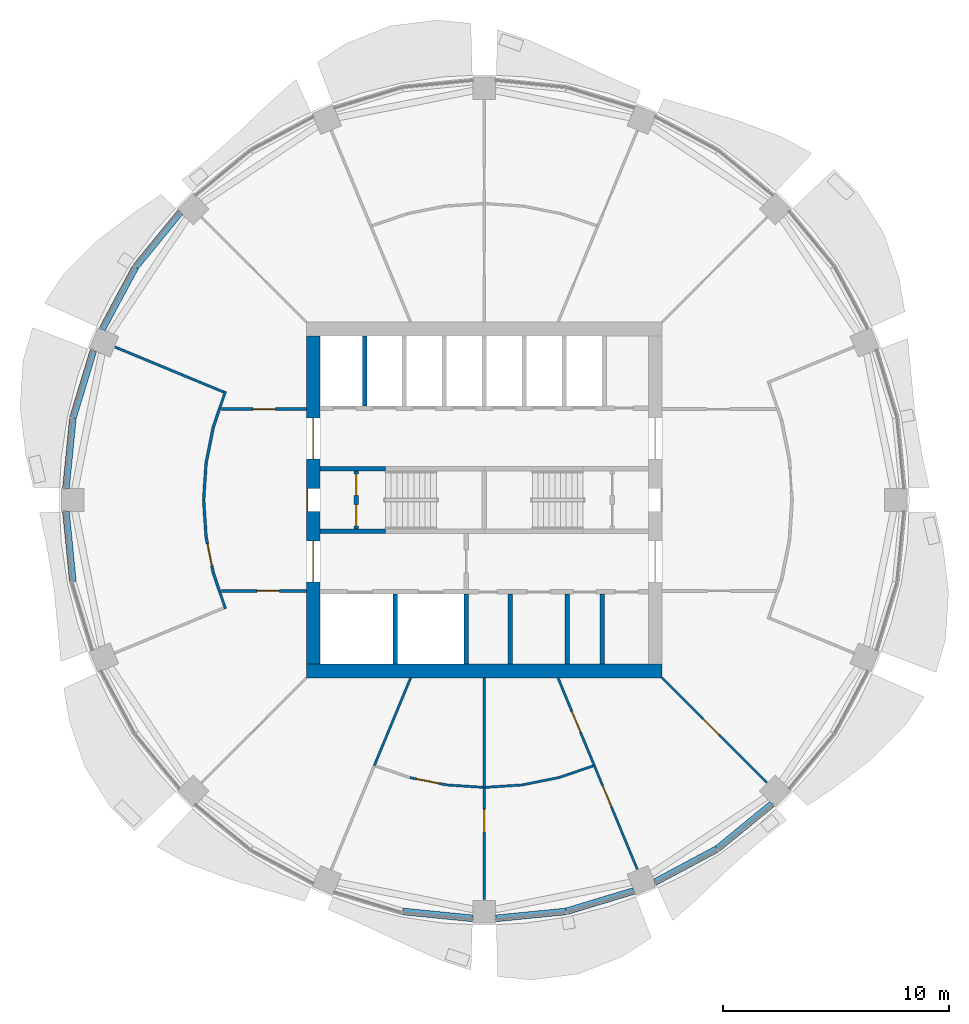
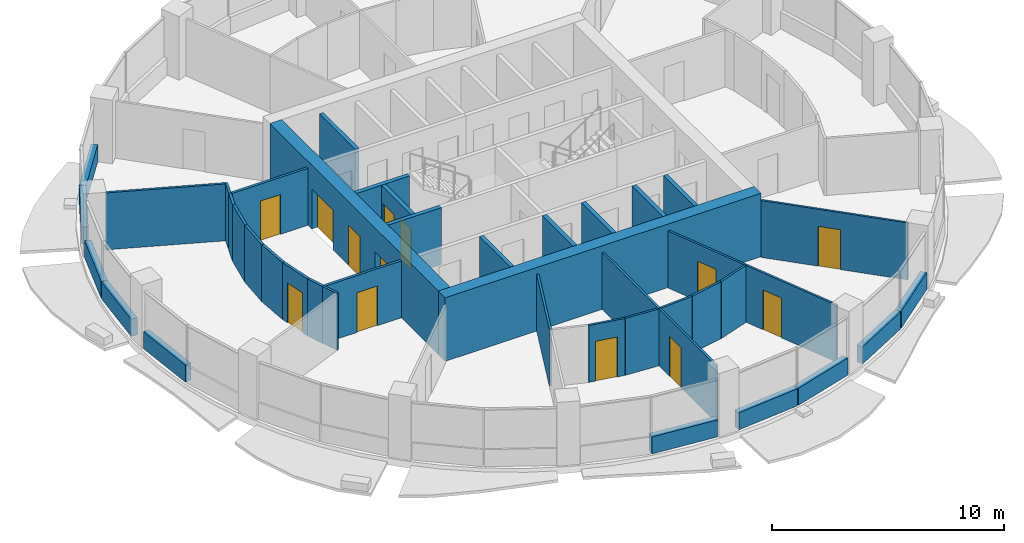
# One storey, part 8 of 15: 43 walls, 13 doors, 13 openings.
"""IFC4 building model written with IfcOpenShell, lengths in metres."""

from ifc_helpers import new_model, si_unit, direction, frame, frame_2d, origin, place, context, subcontext, project, spatial, rectangle, extrude, material, layer, layer_set, type_object, element, fill, save


model = new_model("IFC4")

# Units and contexts
model_context = context("Model", 3, precision=1e-05, world=origin(), true_north=direction((0.0, 1.0)))
body_context = subcontext(model_context, "Body", "Model", "MODEL_VIEW")
ifc_project = project(units=[si_unit("LENGTHUNIT", "METRE"), si_unit("AREAUNIT", "SQUARE_METRE"), si_unit("VOLUMEUNIT", "CUBIC_METRE"), si_unit("PLANEANGLEUNIT", "RADIAN"), si_unit("MASSUNIT", "GRAM", prefix="KILO")], contexts=[model_context])

# Site, building, storey
site_placement = place(None, origin())
site = spatial("IfcSite", under=ifc_project, at=site_placement, CompositionType="ELEMENT")
building_placement = place(site_placement, origin())
building = spatial("IfcBuilding", under=site, at=building_placement, Name="Polderwave Tower", CompositionType="ELEMENT")
storey_placement = place(building_placement, frame((0.0, 0.0, 151.10009765625)))
storey = spatial("IfcBuildingStorey", under=building, at=storey_placement, Name="L40", CompositionType="ELEMENT", Elevation=151.10009765625)

# Wall
ifc_material_1 = material(Name="Concrete C60/75", Category="concrete")
ifc_layer_1 = layer(ifc_material_1, 0.60009765625)
ifc_layer_set_1 = layer_set([ifc_layer_1], Name="CORE WALL 600 C60/75")
wall_type_1 = type_object("IfcWallType", Name="CORE WALL 600 C60/75", PredefinedType="SHEAR", material=ifc_layer_set_1)
wall_1_placement = place(storey_placement, frame((-7.8740234375, -7.573974609375, 0.0), z_axis=(0.0, 0.0, 1.0), x_axis=(1.0, 0.0, 0.0)))
element("IfcWall", 1, at=wall_1_placement, inside=storey, type_object=wall_type_1, Name="ST-CORE-L40-S", PredefinedType="SHEAR", context=body_context, shape_type="SweptSolid", body=[
    extrude(rectangle(XDim=15.748046875, YDim=0.60009765625, at=frame_2d((7.8740234375, 0.0))), origin(), (0.0, 0.0, 1.0), 3.349853515625),
])

# Wall, openings, doors
wall_2_placement = place(storey_placement, frame((-7.573974609375, -7.27392578125, 0.0), z_axis=(0.0, 0.0, 1.0), x_axis=(0.0, 1.0, 0.0)))
wall_2 = element("IfcWall", 2, at=wall_2_placement, inside=storey, type_object=wall_type_1, Name="ST-CORE-L40-W", PredefinedType="SHEAR", context=body_context, shape_type="SweptSolid", body=[
    extrude(rectangle(XDim=14.5478515625, YDim=0.60009765625, at=frame_2d((7.27392578125, 0.0))), origin(), (0.0, 0.0, 1.0), 3.349853515625),
])
opening_1_placement = place(wall_2_placement, frame((6.77392578125, 0.0, 0.0)))
opening_1 = element("IfcOpeningElement", 3, at=opening_1_placement, cuts=wall_2, Name="Opening L40-D20", PredefinedType="OPENING", context=body_context, shape_type="SweptSolid", body=[
    extrude(rectangle(XDim=1.0, YDim=2.10009765625, at=frame_2d((0.5, 1.050048828125))), frame((0.0, 0.31005859375, 0.0), z_axis=(0.0, -1.0, 0.0), x_axis=(1.0, 0.0, 0.0)), (0.0, 0.0, 1.0), 0.6201171875),
])
opening_2_placement = place(wall_2_placement, frame((3.6494140625, 0.0, 0.0)))
opening_2 = element("IfcOpeningElement", 4, at=opening_2_placement, cuts=wall_2, Name="Opening L40-D21", PredefinedType="OPENING", context=body_context, shape_type="SweptSolid", body=[
    extrude(rectangle(XDim=1.800048828125, YDim=2.10009765625, at=frame_2d((0.89990234375, 1.050048828125))), frame((0.0, 0.31005859375, 0.0), z_axis=(0.0, -1.0, 0.0), x_axis=(1.0, 0.0, 0.0)), (0.0, 0.0, 1.0), 0.6201171875),
])
opening_3_placement = place(wall_2_placement, frame((9.098388671875, 0.0, 0.0)))
opening_3 = element("IfcOpeningElement", 5, at=opening_3_placement, cuts=wall_2, Name="Opening L40-D22", PredefinedType="OPENING", context=body_context, shape_type="SweptSolid", body=[
    extrude(rectangle(XDim=1.800048828125, YDim=2.10009765625, at=frame_2d((0.89990234375, 1.050048828125))), frame((0.0, 0.31005859375, 0.0), z_axis=(0.0, -1.0, 0.0), x_axis=(1.0, 0.0, 0.0)), (0.0, 0.0, 1.0), 0.6201171875),
])
ifc_material_2 = material(Name="Steel fire door", Category="steel")
door_type_1 = type_object("IfcDoorType", Name="Lobby entry door pair 1800", OperationType="DOUBLE_DOOR_SINGLE_SWING", PredefinedType="DOOR", material=ifc_material_2)
door_1_placement = place(opening_2_placement, origin())
door_1 = element("IfcDoor", 6, at=door_1_placement, inside=storey, type_object=door_type_1, Name="Fire-fighting lobby entry door", OperationType="DOUBLE_DOOR_SINGLE_SWING", OverallHeight=2.10009765625, OverallWidth=1.800048828125, PredefinedType="DOOR", context=body_context, shape_type="SweptSolid", body=[
    extrude(rectangle(XDim=1.800048828125, YDim=2.10009765625, at=frame_2d((0.89990234375, 1.050048828125))), frame((0.0, 0.02490234375, 0.0), z_axis=(0.0, -1.0, 0.0), x_axis=(1.0, 0.0, 0.0)), (0.0, 0.0, 1.0), 0.050048828125),
])
fill(opening_2, door_1)
door_2_placement = place(opening_3_placement, origin())
door_2 = element("IfcDoor", 7, at=door_2_placement, inside=storey, type_object=door_type_1, Name="North lobby entry door", OperationType="DOUBLE_DOOR_SINGLE_SWING", OverallHeight=2.10009765625, OverallWidth=1.800048828125, PredefinedType="DOOR", context=body_context, shape_type="SweptSolid", body=[
    extrude(rectangle(XDim=1.800048828125, YDim=2.10009765625, at=frame_2d((0.89990234375, 1.050048828125))), frame((0.0, 0.02490234375, 0.0), z_axis=(0.0, -1.0, 0.0), x_axis=(1.0, 0.0, 0.0)), (0.0, 0.0, 1.0), 0.050048828125),
])
fill(opening_3, door_2)
door_type_2 = type_object("IfcDoorType", Name="Stair door 1000", OperationType="NOTDEFINED", PredefinedType="DOOR", material=ifc_material_2)
door_3_placement = place(opening_1_placement, origin())
door_3 = element("IfcDoor", 8, at=door_3_placement, inside=storey, type_object=door_type_2, Name="Stair A entry door", OperationType="SINGLE_SWING_RIGHT", OverallHeight=2.10009765625, OverallWidth=1.0, PredefinedType="DOOR", context=body_context, shape_type="SweptSolid", body=[
    extrude(rectangle(XDim=1.0, YDim=2.10009765625, at=frame_2d((0.5, 1.050048828125))), frame((0.0, 0.2998046875, 0.0), z_axis=(0.0, -1.0, 0.0), x_axis=(1.0, 0.0, 0.0)), (0.0, 0.0, 1.0), 0.050048828125),
])
fill(opening_1, door_3)

# Walls
ifc_material_3 = material(Name="Concrete C50/60 (board-marked)", Category="concrete")
ifc_layer_2 = layer(ifc_material_3, 0.300048828125)
ifc_layer_set_2 = layer_set([ifc_layer_2], Name="Concrete spandrel upstand C50/60")
wall_type_2 = type_object("IfcWallType", Name="Concrete spandrel upstand C50/60", PredefinedType="SOLIDWALL", material=ifc_layer_set_2)
wall_3_placement = place(storey_placement, frame((-13.465576171875, 12.739501953125, 0.0), z_axis=(0.0, 0.0, 1.0), x_axis=(-0.634074896441, -0.773271637721, 0.0)))
element("IfcWall", 9, at=wall_3_placement, inside=storey, type_object=wall_type_2, Name="Spandrel L40 7a", PredefinedType="SOLIDWALL", context=body_context, shape_type="SweptSolid", body=[
    extrude(rectangle(XDim=3.111572265625, YDim=0.300048828125, at=frame_2d((1.5556640625, 0.0))), origin(), (0.0, 0.0, 1.0), 0.89990234375),
])
wall_4_placement = place(storey_placement, frame((-15.455078125, 10.308837890625, 0.0), z_axis=(0.0, 0.0, 1.0), x_axis=(-0.471467771589, -0.881883291798, 0.0)))
element("IfcWall", 10, at=wall_4_placement, inside=storey, type_object=wall_type_2, Name="Spandrel L40 7b", PredefinedType="SOLIDWALL", context=body_context, shape_type="SweptSolid", body=[
    extrude(rectangle(XDim=3.111083984375, YDim=0.300048828125, at=frame_2d((1.5556640625, 0.0))), origin(), (0.0, 0.0, 1.0), 0.89990234375),
])
wall_5_placement = place(storey_placement, frame((-17.3154296875, 6.61669921875, 0.0), z_axis=(0.0, 0.0, 1.0), x_axis=(-0.29026219948, -0.956947154002, 0.0)))
element("IfcWall", 11, at=wall_5_placement, inside=storey, type_object=wall_type_2, Name="Spandrel L40 8a", PredefinedType="SOLIDWALL", context=body_context, shape_type="SweptSolid", body=[
    extrude(rectangle(XDim=3.111328125, YDim=0.300048828125, at=frame_2d((1.5556640625, 0.0))), origin(), (0.0, 0.0, 1.0), 0.89990234375),
])
for number, where, z_axis, x_axis, name in (
    (12, (-18.224609375, 3.610107421875, 0.0), (0.0, 0.0, 1.0), (-0.098011857239, -0.995185246997, 0.0), "Spandrel L40 8b"),
    (13, (-18.529541015625, -0.513916015625, 0.0), (0.0, 0.0, 1.0), (0.098011857239, -0.995185246997, 0.0), "Spandrel L40 9a"),
    (14, (-3.610107421875, -18.224609375, 0.0), (0.0, 0.0, 1.0), (0.995185246997, -0.098011857239, 0.0), "Spandrel L40 12b"),
    (15, (0.513916015625, -18.529541015625, 0.0), (0.0, 0.0, 1.0), (0.995185246997, 0.098011857239, 0.0), "Spandrel L40 13a"),
):
    element("IfcWall", number, at=place(storey_placement, frame(where, z_axis=z_axis, x_axis=x_axis)), inside=storey, type_object=wall_type_2, Name=name, PredefinedType="SOLIDWALL", context=body_context, shape_type="SweptSolid", body=[
        extrude(rectangle(XDim=3.111083984375, YDim=0.300048828125, at=frame_2d((1.5556640625, 0.0))), origin(), (0.0, 0.0, 1.0), 0.89990234375),
    ])
wall_6_placement = place(storey_placement, frame((3.639404296875, -18.218505859375, 0.0), z_axis=(0.0, 0.0, 1.0), x_axis=(0.956947154002, 0.29026219948, 0.0)))
element("IfcWall", 16, at=wall_6_placement, inside=storey, type_object=wall_type_2, Name="Spandrel L40 13b", PredefinedType="SOLIDWALL", context=body_context, shape_type="SweptSolid", body=[
    extrude(rectangle(XDim=3.111328125, YDim=0.300048828125, at=frame_2d((1.5556640625, 0.0))), origin(), (0.0, 0.0, 1.0), 0.89990234375),
])
wall_7_placement = place(storey_placement, frame((7.565185546875, -16.921875, 0.0), z_axis=(0.0, 0.0, 1.0), x_axis=(0.881883291798, 0.471467771589, 0.0)))
element("IfcWall", 17, at=wall_7_placement, inside=storey, type_object=wall_type_2, Name="Spandrel L40 14a", PredefinedType="SOLIDWALL", context=body_context, shape_type="SweptSolid", body=[
    extrude(rectangle(XDim=3.111083984375, YDim=0.300048828125, at=frame_2d((1.5556640625, 0.0))), origin(), (0.0, 0.0, 1.0), 0.89990234375),
])
wall_8_placement = place(storey_placement, frame((10.33349609375, -15.4384765625, 0.0), z_axis=(0.0, 0.0, 1.0), x_axis=(0.773271637721, 0.634074896441, 0.0)))
element("IfcWall", 18, at=wall_8_placement, inside=storey, type_object=wall_type_2, Name="Spandrel L40 14b", PredefinedType="SOLIDWALL", context=body_context, shape_type="SweptSolid", body=[
    extrude(rectangle(XDim=3.111572265625, YDim=0.300048828125, at=frame_2d((1.5556640625, 0.0))), origin(), (0.0, 0.0, 1.0), 0.89990234375),
])
ifc_material_4 = material(Name="Gypsum board partition")
ifc_layer_3 = layer(ifc_material_4, 0.199951171875)
ifc_layer_set_3 = layer_set([ifc_layer_3], Name="Core room partition 200")
wall_type_3 = type_object("IfcWallType", Name="Core room partition 200", PredefinedType="PARTITIONING", material=ifc_layer_set_3)
for number, where, z_axis, x_axis, name in (
    (19, (1.146484375, -7.27392578125, 0.0), (0.0, 0.0, 1.0), (0.0, 1.0, 0.0), "L40 room partition S1"),
    (20, (3.675048828125, -7.27392578125, 0.0), (0.0, 0.0, 1.0), (0.0, 1.0, 0.0), "L40 room partition S2"),
    (21, (5.2333984375, -7.27392578125, 0.0), (0.0, 0.0, 1.0), (0.0, 1.0, 0.0), "L40 room partition S3"),
):
    element("IfcWall", number, at=place(storey_placement, frame(where, z_axis=z_axis, x_axis=x_axis)), inside=storey, type_object=wall_type_3, Name=name, PredefinedType="PARTITIONING", context=body_context, shape_type="SweptSolid", body=[
        extrude(rectangle(XDim=3.099853515625, YDim=0.199951171875, at=frame_2d((1.5498046875, 0.0))), origin(), (0.0, 0.0, 1.0), 3.0),
    ])

# Wall, openings, doors
wall_9_placement = place(storey_placement, frame((-5.674072265625, -1.27490234375, 0.0), z_axis=(0.0, 0.0, 1.0), x_axis=(0.0, 1.0, 0.0)))
wall_9 = element("IfcWall", 22, at=wall_9_placement, inside=storey, type_object=wall_type_3, Name="L40 smoke lobby wall A", PredefinedType="PARTITIONING", context=body_context, shape_type="SweptSolid", body=[
    extrude(rectangle(XDim=2.5498046875, YDim=0.199951171875, at=frame_2d((1.27490234375, 0.0))), origin(), (0.0, 0.0, 1.0), 3.0),
])
opening_4_placement = place(wall_9_placement, frame((0.125, 0.0, 0.0)))
opening_4 = element("IfcOpeningElement", 23, at=opening_4_placement, cuts=wall_9, Name="Opening L40-D10", PredefinedType="OPENING", context=body_context, shape_type="SweptSolid", body=[
    extrude(rectangle(XDim=0.949951171875, YDim=2.10009765625, at=frame_2d((0.47509765625, 1.050048828125))), frame((0.0, 0.10986328125, 0.0), z_axis=(0.0, -1.0, 0.0), x_axis=(1.0, 0.0, 0.0)), (0.0, 0.0, 1.0), 0.219970703125),
])
opening_5_placement = place(wall_9_placement, frame((1.47509765625, 0.0, 0.0)))
opening_5 = element("IfcOpeningElement", 24, at=opening_5_placement, cuts=wall_9, Name="Opening L40-D11", PredefinedType="OPENING", context=body_context, shape_type="SweptSolid", body=[
    extrude(rectangle(XDim=0.949951171875, YDim=2.10009765625, at=frame_2d((0.47509765625, 1.050048828125))), frame((0.0, 0.10986328125, 0.0), z_axis=(0.0, -1.0, 0.0), x_axis=(1.0, 0.0, 0.0)), (0.0, 0.0, 1.0), 0.219970703125),
])
door_type_3 = type_object("IfcDoorType", Name="Smoke lobby door 950", OperationType="NOTDEFINED", PredefinedType="DOOR", material=ifc_material_2)
door_4_placement = place(opening_4_placement, origin())
door_4 = element("IfcDoor", 25, at=door_4_placement, inside=storey, type_object=door_type_3, Name="Stair A smoke lobby inner door", OperationType="SINGLE_SWING_LEFT", OverallHeight=2.10009765625, OverallWidth=0.949951171875, PredefinedType="DOOR", context=body_context, shape_type="SweptSolid", body=[
    extrude(rectangle(XDim=0.949951171875, YDim=2.10009765625, at=frame_2d((0.47509765625, 1.050048828125))), frame((0.0, 0.02490234375, 0.0), z_axis=(0.0, -1.0, 0.0), x_axis=(1.0, 0.0, 0.0)), (0.0, 0.0, 1.0), 0.050048828125),
])
fill(opening_4, door_4)
door_5_placement = place(opening_5_placement, origin())
door_5 = element("IfcDoor", 26, at=door_5_placement, inside=storey, type_object=door_type_3, Name="Stair A smoke lobby inner door", OperationType="SINGLE_SWING_RIGHT", OverallHeight=2.10009765625, OverallWidth=0.949951171875, PredefinedType="DOOR", context=body_context, shape_type="SweptSolid", body=[
    extrude(rectangle(XDim=0.949951171875, YDim=2.10009765625, at=frame_2d((0.47509765625, 1.050048828125))), frame((0.0, 0.02490234375, 0.0), z_axis=(0.0, -1.0, 0.0), x_axis=(1.0, 0.0, 0.0)), (0.0, 0.0, 1.0), 0.050048828125),
])
fill(opening_5, door_5)

# Walls
ifc_material_5 = material(Name="Concrete C50/60", Category="concrete")
ifc_layer_4 = layer(ifc_material_5, 0.199951171875)
ifc_layer_set_4 = layer_set([ifc_layer_4], Name="Core web wall 200")
wall_type_4 = type_object("IfcWallType", Name="Core web wall 200", PredefinedType="SHEAR", material=ifc_layer_set_4)
for number, where, z_axis, x_axis, name in (
    (27, (-7.27392578125, -1.375, 0.0), (0.0, 0.0, 1.0), (1.0, 0.0, 0.0), "L40 south stair wall 1"),
    (28, (-7.27392578125, 1.375, 0.0), (0.0, 0.0, 1.0), (1.0, 0.0, 0.0), "L40 north stair wall 1"),
):
    element("IfcWall", number, at=place(storey_placement, frame(where, z_axis=z_axis, x_axis=x_axis)), inside=storey, type_object=wall_type_4, Name=name, PredefinedType="SHEAR", context=body_context, shape_type="SweptSolid", body=[
        extrude(rectangle(XDim=2.89990234375, YDim=0.199951171875, at=frame_2d((1.449951171875, 0.0))), origin(), (0.0, 0.0, 1.0), 3.0),
    ])

# Wall, opening, door
ifc_material_6 = material(Name="Fire-resisting board on steel studs", Category="steel")
ifc_layer_5 = layer(ifc_material_6, 0.125)
ifc_layer_set_5 = layer_set([ifc_layer_5], Name="Corridor wall 125 mm EI 60")
wall_type_5 = type_object("IfcWallType", Name="Corridor wall 125 mm EI 60", PredefinedType="PARTITIONING", material=ifc_layer_set_5)
wall_10_placement = place(storey_placement, frame((-11.645263671875, 4.0244140625, 0.0), z_axis=(0.0, 0.0, 1.0), x_axis=(1.0, 0.0, 0.0)))
wall_10 = element("IfcWall", 29, at=wall_10_placement, inside=storey, type_object=wall_type_5, Name="IN-L40-W009", PredefinedType="PARTITIONING", context=body_context, shape_type="SweptSolid", body=[
    extrude(rectangle(XDim=3.771240234375, YDim=0.125, at=frame_2d((1.8857421875, 0.0))), origin(), (0.0, 0.0, 1.0), 3.0),
])
opening_6_placement = place(wall_10_placement, frame((1.39990234375, 0.0, 0.0)))
opening_6 = element("IfcOpeningElement", 30, at=opening_6_placement, cuts=wall_10, Name="Opening L40-D53", PredefinedType="OPENING", context=body_context, shape_type="SweptSolid", body=[
    extrude(rectangle(XDim=1.0, YDim=2.10009765625, at=frame_2d((0.5, 1.050048828125))), frame((0.0, 0.072509765625, 0.0), z_axis=(0.0, -1.0, 0.0), x_axis=(1.0, 0.0, 0.0)), (0.0, 0.0, 1.0), 0.14501953125),
])
ifc_material_7 = material(Name="Timber fire door leaf", Category="wood")
door_type_4 = type_object("IfcDoorType", Name="Fire door FD30S 1000 x 2100", OperationType="NOTDEFINED", PredefinedType="DOOR", material=ifc_material_7)
door_6_placement = place(opening_6_placement, origin())
door_6 = element("IfcDoor", 31, at=door_6_placement, inside=storey, type_object=door_type_4, Name="Door L40-D53", OperationType="SINGLE_SWING_RIGHT", OverallHeight=2.10009765625, OverallWidth=1.0, PredefinedType="DOOR", context=body_context, shape_type="SweptSolid", body=[
    extrude(rectangle(XDim=1.0, YDim=2.10009765625, at=frame_2d((0.5, 1.050048828125))), frame((0.0, 0.02490234375, 0.0), z_axis=(0.0, -1.0, 0.0), x_axis=(1.0, 0.0, 0.0)), (0.0, 0.0, 1.0), 0.050048828125),
])
fill(opening_6, door_6)

# Walls
for number, where, z_axis, x_axis, name in (
    (32, (-12.4296875, 0.004150390625, 0.0), (0.0, 0.0, 1.0), (0.065347021391, 0.997862599157, 0.0), "IN-L40-W010"),
    (33, (-12.323974609375, -1.618408203125, 0.0), (0.0, 0.0, 1.0), (-0.065347021391, 0.997862599157, 0.0), "IN-L40-W011"),
    (34, (-12.322998046875, 1.62646484375, 0.0), (0.0, 0.0, 1.0), (0.195129303098, 0.980777525779, 0.0), "IN-L40-W012"),
):
    element("IfcWall", number, at=place(storey_placement, frame(where, z_axis=z_axis, x_axis=x_axis)), inside=storey, type_object=wall_type_5, Name=name, PredefinedType="PARTITIONING", context=body_context, shape_type="SweptSolid", body=[
        extrude(rectangle(XDim=1.61767578125, YDim=0.125, at=frame_2d((0.808837890625, 0.0))), origin(), (0.0, 0.0, 1.0), 3.0),
    ])

# Wall, opening, door
wall_11_placement = place(storey_placement, frame((-12.00732421875, -3.213134765625, 0.0), z_axis=(0.0, 0.0, 1.0), x_axis=(-0.195129303098, 0.980777525779, 0.0)))
wall_11 = element("IfcWall", 35, at=wall_11_placement, inside=storey, type_object=wall_type_5, Name="IN-L40-W013", PredefinedType="PARTITIONING", context=body_context, shape_type="SweptSolid", body=[
    extrude(rectangle(XDim=1.61767578125, YDim=0.125, at=frame_2d((0.808837890625, 0.0))), origin(), (0.0, 0.0, 1.0), 3.0),
])
opening_7_placement = place(wall_11_placement, frame((0.300048828125, 0.0, 0.0)))
opening_7 = element("IfcOpeningElement", 36, at=opening_7_placement, cuts=wall_11, Name="Opening L40-D54", PredefinedType="OPENING", context=body_context, shape_type="SweptSolid", body=[
    extrude(rectangle(XDim=1.0, YDim=2.10009765625, at=frame_2d((0.5, 1.050048828125))), frame((0.0, 0.072509765625, 0.0), z_axis=(0.0, -1.0, 0.0), x_axis=(1.0, 0.0, 0.0)), (0.0, 0.0, 1.0), 0.14501953125),
])
door_7_placement = place(opening_7_placement, origin())
door_7 = element("IfcDoor", 37, at=door_7_placement, inside=storey, type_object=door_type_4, Name="Door L40-D54", OperationType="SINGLE_SWING_LEFT", OverallHeight=2.10009765625, OverallWidth=1.0, PredefinedType="DOOR", context=body_context, shape_type="SweptSolid", body=[
    extrude(rectangle(XDim=1.0, YDim=2.10009765625, at=frame_2d((0.5, 1.050048828125))), frame((0.0, 0.02490234375, 0.0), z_axis=(0.0, -1.0, 0.0), x_axis=(1.0, 0.0, 0.0)), (0.0, 0.0, 1.0), 0.050048828125),
])
fill(opening_7, door_7)

# Walls
for number, where, z_axis, x_axis, name in (
    (38, (-12.005126953125, 3.220947265625, 0.0), (0.0, 0.0, 1.0), (0.321402320822, 0.946942737535, 0.0), "IN-L40-W014"),
    (39, (-11.732421875, -4.0244140625, 0.0), (0.0, 0.0, 1.0), (-0.321402320822, 0.946942737535, 0.0), "IN-L40-W015"),
):
    element("IfcWall", number, at=place(storey_placement, frame(where, z_axis=z_axis, x_axis=x_axis)), inside=storey, type_object=wall_type_5, Name=name, PredefinedType="PARTITIONING", context=body_context, shape_type="SweptSolid", body=[
        extrude(rectangle(XDim=0.848388671875, YDim=0.125, at=frame_2d((0.42431640625, 0.0))), origin(), (0.0, 0.0, 1.0), 3.0),
    ])

# Wall, opening, door
wall_12_placement = place(storey_placement, frame((-7.8740234375, -4.0244140625, 0.0), z_axis=(0.0, 0.0, 1.0), x_axis=(-1.0, 0.0, 0.0)))
wall_12 = element("IfcWall", 40, at=wall_12_placement, inside=storey, type_object=wall_type_5, Name="IN-L40-W016", PredefinedType="PARTITIONING", context=body_context, shape_type="SweptSolid", body=[
    extrude(rectangle(XDim=3.771240234375, YDim=0.125, at=frame_2d((1.8857421875, 0.0))), origin(), (0.0, 0.0, 1.0), 3.0),
])
opening_8_placement = place(wall_12_placement, frame((1.199951171875, 0.0, 0.0)))
opening_8 = element("IfcOpeningElement", 41, at=opening_8_placement, cuts=wall_12, Name="Opening L40-D55", PredefinedType="OPENING", context=body_context, shape_type="SweptSolid", body=[
    extrude(rectangle(XDim=1.0, YDim=2.10009765625, at=frame_2d((0.5, 1.050048828125))), frame((0.0, 0.072509765625, 0.0), z_axis=(0.0, -1.0, 0.0), x_axis=(1.0, 0.0, 0.0)), (0.0, 0.0, 1.0), 0.14501953125),
])
door_8_placement = place(opening_8_placement, origin())
door_8 = element("IfcDoor", 42, at=door_8_placement, inside=storey, type_object=door_type_4, Name="Door L40-D55", OperationType="SINGLE_SWING_LEFT", OverallHeight=2.10009765625, OverallWidth=1.0, PredefinedType="DOOR", context=body_context, shape_type="SweptSolid", body=[
    extrude(rectangle(XDim=1.0, YDim=2.10009765625, at=frame_2d((0.5, 1.050048828125))), frame((0.0, 0.02490234375, 0.0), z_axis=(0.0, -1.0, 0.0), x_axis=(1.0, 0.0, 0.0)), (0.0, 0.0, 1.0), 0.050048828125),
])
fill(opening_8, door_8)

ifc_material_8 = material(Name="Plasterboard on steel studs", Category="steel")
ifc_layer_6 = layer(ifc_material_8, 0.10009765625)
ifc_layer_set_6 = layer_set([ifc_layer_6], Name="Partition 100 mm plasterboard on steel studs")
wall_type_6 = type_object("IfcWallType", Name="Partition 100 mm plasterboard on steel studs", PredefinedType="PARTITIONING", material=ifc_layer_set_6)
wall_13_placement = place(storey_placement, frame((0.0, -17.699951171875, 0.0), z_axis=(0.0, 0.0, 1.0), x_axis=(0.0, 1.0, 0.0)))
wall_13 = element("IfcWall", 43, at=wall_13_placement, inside=storey, type_object=wall_type_6, Name="IN-L40-W046", PredefinedType="PARTITIONING", context=body_context, shape_type="SweptSolid", body=[
    extrude(rectangle(XDim=4.969970703125, YDim=0.10009765625, at=frame_2d((2.48486328125, 0.0))), origin(), (0.0, 0.0, 1.0), 3.0),
])
opening_9_placement = place(wall_13_placement, frame((3.0, 0.0, 0.0)))
opening_9 = element("IfcOpeningElement", 44, at=opening_9_placement, cuts=wall_13, Name="Opening L40-D64", PredefinedType="OPENING", context=body_context, shape_type="SweptSolid", body=[
    extrude(rectangle(XDim=1.0, YDim=2.10009765625, at=frame_2d((0.5, 1.050048828125))), frame((0.0, 0.06005859375, 0.0), z_axis=(0.0, -1.0, 0.0), x_axis=(1.0, 0.0, 0.0)), (0.0, 0.0, 1.0), 0.1201171875),
])
ifc_material_9 = material(Name="Timber veneer door leaf", Category="wood")
door_type_5 = type_object("IfcDoorType", Name="Single door 1000 x 2100", OperationType="NOTDEFINED", PredefinedType="DOOR", material=ifc_material_9)
door_9_placement = place(opening_9_placement, origin())
door_9 = element("IfcDoor", 45, at=door_9_placement, inside=storey, type_object=door_type_5, Name="Door L40-D64", OperationType="SINGLE_SWING_RIGHT", OverallHeight=2.10009765625, OverallWidth=1.0, PredefinedType="DOOR", context=body_context, shape_type="SweptSolid", body=[
    extrude(rectangle(XDim=1.0, YDim=2.10009765625, at=frame_2d((0.5, 1.050048828125))), frame((0.0, 0.02490234375, 0.0), z_axis=(0.0, -1.0, 0.0), x_axis=(1.0, 0.0, 0.0)), (0.0, 0.0, 1.0), 0.050048828125),
])
fill(opening_9, door_9)

wall_14_placement = place(storey_placement, frame((6.7734375, -16.352783203125, 0.0), z_axis=(0.0, 0.0, 1.0), x_axis=(-0.38266126553, 0.923888714003, 0.0)))
wall_14 = element("IfcWall", 46, at=wall_14_placement, inside=storey, type_object=wall_type_6, Name="IN-L40-W051", PredefinedType="PARTITIONING", context=body_context, shape_type="SweptSolid", body=[
    extrude(rectangle(XDim=4.969970703125, YDim=0.10009765625, at=frame_2d((2.48486328125, 0.0))), origin(), (0.0, 0.0, 1.0), 3.0),
])
opening_10_placement = place(wall_14_placement, frame((3.0, 0.0, 0.0)))
opening_10 = element("IfcOpeningElement", 47, at=opening_10_placement, cuts=wall_14, Name="Opening L40-D66", PredefinedType="OPENING", context=body_context, shape_type="SweptSolid", body=[
    extrude(rectangle(XDim=1.0, YDim=2.10009765625, at=frame_2d((0.5, 1.050048828125))), frame((0.0, 0.06005859375, 0.0), z_axis=(0.0, -1.0, 0.0), x_axis=(1.0, 0.0, 0.0)), (0.0, 0.0, 1.0), 0.1201171875),
])
door_10_placement = place(opening_10_placement, origin())
door_10 = element("IfcDoor", 48, at=door_10_placement, inside=storey, type_object=door_type_5, Name="Door L40-D66", OperationType="SINGLE_SWING_RIGHT", OverallHeight=2.10009765625, OverallWidth=1.0, PredefinedType="DOOR", context=body_context, shape_type="SweptSolid", body=[
    extrude(rectangle(XDim=1.0, YDim=2.10009765625, at=frame_2d((0.5, 1.050048828125))), frame((0.0, 0.02490234375, 0.0), z_axis=(0.0, -1.0, 0.0), x_axis=(1.0, 0.0, 0.0)), (0.0, 0.0, 1.0), 0.050048828125),
])
fill(opening_10, door_10)

wall_15_placement = place(storey_placement, frame((12.515869140625, -12.515869140625, 0.0), z_axis=(0.0, 0.0, 1.0), x_axis=(-0.707106781187, 0.707106781187, 0.0)))
wall_15 = element("IfcWall", 49, at=wall_15_placement, inside=storey, type_object=wall_type_6, Name="IN-L40-W052", PredefinedType="PARTITIONING", context=body_context, shape_type="SweptSolid", body=[
    extrude(rectangle(XDim=6.564453125, YDim=0.10009765625, at=frame_2d((3.2822265625, 0.0))), origin(), (0.0, 0.0, 1.0), 3.0),
])
opening_11_placement = place(wall_15_placement, frame((3.0, 0.0, 0.0)))
opening_11 = element("IfcOpeningElement", 50, at=opening_11_placement, cuts=wall_15, Name="Opening L40-D67", PredefinedType="OPENING", context=body_context, shape_type="SweptSolid", body=[
    extrude(rectangle(XDim=1.0, YDim=2.10009765625, at=frame_2d((0.5, 1.050048828125))), frame((0.0, 0.06005859375, 0.0), z_axis=(0.0, -1.0, 0.0), x_axis=(1.0, 0.0, 0.0)), (0.0, 0.0, 1.0), 0.1201171875),
])
door_11_placement = place(opening_11_placement, origin())
door_11 = element("IfcDoor", 51, at=door_11_placement, inside=storey, type_object=door_type_5, Name="Door L40-D67", OperationType="SINGLE_SWING_RIGHT", OverallHeight=2.10009765625, OverallWidth=1.0, PredefinedType="DOOR", context=body_context, shape_type="SweptSolid", body=[
    extrude(rectangle(XDim=1.0, YDim=2.10009765625, at=frame_2d((0.5, 1.050048828125))), frame((0.0, 0.02490234375, 0.0), z_axis=(0.0, -1.0, 0.0), x_axis=(1.0, 0.0, 0.0)), (0.0, 0.0, 1.0), 0.050048828125),
])
fill(opening_11, door_11)

# Wall
ifc_material_10 = material(Name="Moisture-resistant board on steel studs, tiled", Category="steel")
ifc_layer_7 = layer(ifc_material_10, 0.10498046875)
ifc_layer_set_7 = layer_set([ifc_layer_7], Name="Partition 105 mm wet room board and tile")
wall_type_7 = type_object("IfcWallType", Name="Partition 105 mm wet room board and tile", PredefinedType="PARTITIONING", material=ifc_layer_set_7)
wall_16_placement = place(storey_placement, frame((-3.261474609375, -7.8740234375, 0.0), z_axis=(0.0, 0.0, 1.0), x_axis=(-0.38269858238, -0.923873257024, 0.0)))
element("IfcWall", 52, at=wall_16_placement, inside=storey, type_object=wall_type_7, Name="IN-L40-W040", PredefinedType="PARTITIONING", context=body_context, shape_type="SweptSolid", body=[
    extrude(rectangle(XDim=4.207275390625, YDim=0.10498046875, at=frame_2d((2.103515625, 0.0))), origin(), (0.0, 0.0, 1.0), 3.0),
])

# Wall, opening, door
wall_17_placement = place(storey_placement, frame((-3.29150390625, -12.296875, 0.0), z_axis=(0.0, 0.0, 1.0), x_axis=(0.980789623675, -0.195068485645, 0.0)))
wall_17 = element("IfcWall", 53, at=wall_17_placement, inside=storey, type_object=wall_type_7, Name="IN-L40-W043", PredefinedType="PARTITIONING", context=body_context, shape_type="SweptSolid", body=[
    extrude(rectangle(XDim=1.658203125, YDim=0.10498046875, at=frame_2d((0.8291015625, 0.0))), origin(), (0.0, 0.0, 1.0), 3.0),
])
opening_12_placement = place(wall_17_placement, frame((0.300048828125, 0.0, 0.0)))
opening_12 = element("IfcOpeningElement", 54, at=opening_12_placement, cuts=wall_17, Name="Opening L40-D63", PredefinedType="OPENING", context=body_context, shape_type="SweptSolid", body=[
    extrude(rectangle(XDim=1.0, YDim=2.10009765625, at=frame_2d((0.5, 1.050048828125))), frame((0.0, 0.0625, 0.0), z_axis=(0.0, -1.0, 0.0), x_axis=(1.0, 0.0, 0.0)), (0.0, 0.0, 1.0), 0.125),
])
door_12_placement = place(opening_12_placement, origin())
door_12 = element("IfcDoor", 55, at=door_12_placement, inside=storey, type_object=door_type_5, Name="Door L40-D63", OperationType="SINGLE_SWING_LEFT", OverallHeight=2.10009765625, OverallWidth=1.0, PredefinedType="DOOR", context=body_context, shape_type="SweptSolid", body=[
    extrude(rectangle(XDim=1.0, YDim=2.10009765625, at=frame_2d((0.5, 1.050048828125))), frame((0.0, 0.02490234375, 0.0), z_axis=(0.0, -1.0, 0.0), x_axis=(1.0, 0.0, 0.0)), (0.0, 0.0, 1.0), 0.050048828125),
])
fill(opening_12, door_12)

# Walls
wall_18_placement = place(storey_placement, frame((-0.055908203125, -12.726318359375, 0.0), z_axis=(0.0, 0.0, 1.0), x_axis=(-0.997860527919, 0.065378641933, 0.0)))
element("IfcWall", 56, at=wall_18_placement, inside=storey, type_object=wall_type_7, Name="IN-L40-W044", PredefinedType="PARTITIONING", context=body_context, shape_type="SweptSolid", body=[
    extrude(rectangle(XDim=1.605712890625, YDim=0.10498046875, at=frame_2d((0.802734375, 0.0))), origin(), (0.0, 0.0, 1.0), 3.0),
])
wall_19_placement = place(storey_placement, frame((0.0, -7.8740234375, 0.0), z_axis=(0.0, 0.0, 1.0), x_axis=(0.0, -1.0, 0.0)))
element("IfcWall", 57, at=wall_19_placement, inside=storey, type_object=wall_type_7, Name="IN-L40-W045", PredefinedType="PARTITIONING", context=body_context, shape_type="SweptSolid", body=[
    extrude(rectangle(XDim=4.85595703125, YDim=0.10498046875, at=frame_2d((2.427978515625, 0.0))), origin(), (0.0, 0.0, 1.0), 3.0),
])
wall_20_placement = place(storey_placement, frame((1.658203125, -12.621337890625, 0.0), z_axis=(0.0, 0.0, 1.0), x_axis=(-0.997860527919, -0.065378641933, 0.0)))
element("IfcWall", 58, at=wall_20_placement, inside=storey, type_object=wall_type_7, Name="IN-L40-W047", PredefinedType="PARTITIONING", context=body_context, shape_type="SweptSolid", body=[
    extrude(rectangle(XDim=1.605712890625, YDim=0.10498046875, at=frame_2d((0.802734375, 0.0))), origin(), (0.0, 0.0, 1.0), 3.0),
])
wall_21_placement = place(storey_placement, frame((3.29150390625, -12.296875, 0.0), z_axis=(0.0, 0.0, 1.0), x_axis=(-0.980789623675, -0.195068485645, 0.0)))
element("IfcWall", 59, at=wall_21_placement, inside=storey, type_object=wall_type_7, Name="IN-L40-W048", PredefinedType="PARTITIONING", context=body_context, shape_type="SweptSolid", body=[
    extrude(rectangle(XDim=1.658203125, YDim=0.10498046875, at=frame_2d((0.8291015625, 0.0))), origin(), (0.0, 0.0, 1.0), 3.0),
])
wall_22_placement = place(storey_placement, frame((4.818603515625, -11.779052734375, 0.0), z_axis=(0.0, 0.0, 1.0), x_axis=(-0.946935734923, -0.321422951771, 0.0)))
element("IfcWall", 60, at=wall_22_placement, inside=storey, type_object=wall_type_7, Name="IN-L40-W049", PredefinedType="PARTITIONING", context=body_context, shape_type="SweptSolid", body=[
    extrude(rectangle(XDim=1.605712890625, YDim=0.10498046875, at=frame_2d((0.802734375, 0.0))), origin(), (0.0, 0.0, 1.0), 3.0),
])

# Wall, opening, door
wall_23_placement = place(storey_placement, frame((4.87158203125, -11.760986328125, 0.0), z_axis=(0.0, 0.0, 1.0), x_axis=(-0.38269858238, 0.923873257024, 0.0)))
wall_23 = element("IfcWall", 61, at=wall_23_placement, inside=storey, type_object=wall_type_7, Name="IN-L40-W050", PredefinedType="PARTITIONING", context=body_context, shape_type="SweptSolid", body=[
    extrude(rectangle(XDim=4.207275390625, YDim=0.10498046875, at=frame_2d((2.103515625, 0.0))), origin(), (0.0, 0.0, 1.0), 3.0),
])
opening_13_placement = place(wall_23_placement, frame((1.60009765625, 0.0, 0.0)))
opening_13 = element("IfcOpeningElement", 62, at=opening_13_placement, cuts=wall_23, Name="Opening L40-D65", PredefinedType="OPENING", context=body_context, shape_type="SweptSolid", body=[
    extrude(rectangle(XDim=1.0, YDim=2.10009765625, at=frame_2d((0.5, 1.050048828125))), frame((0.0, 0.0625, 0.0), z_axis=(0.0, -1.0, 0.0), x_axis=(1.0, 0.0, 0.0)), (0.0, 0.0, 1.0), 0.125),
])
door_13_placement = place(opening_13_placement, origin())
door_13 = element("IfcDoor", 63, at=door_13_placement, inside=storey, type_object=door_type_5, Name="Door L40-D65", OperationType="SINGLE_SWING_LEFT", OverallHeight=2.10009765625, OverallWidth=1.0, PredefinedType="DOOR", context=body_context, shape_type="SweptSolid", body=[
    extrude(rectangle(XDim=1.0, YDim=2.10009765625, at=frame_2d((0.5, 1.050048828125))), frame((0.0, 0.02490234375, 0.0), z_axis=(0.0, -1.0, 0.0), x_axis=(1.0, 0.0, 0.0)), (0.0, 0.0, 1.0), 0.050048828125),
])
fill(opening_13, door_13)

# Walls
ifc_material_11 = material(Name="Acoustic double plasterboard on steel studs", Category="steel")
ifc_layer_8 = layer(ifc_material_11, 0.110107421875)
ifc_layer_set_8 = layer_set([ifc_layer_8], Name="Partition 110 mm acoustic double board")
wall_type_8 = type_object("IfcWallType", Name="Partition 110 mm acoustic double board", PredefinedType="PARTITIONING", material=ifc_layer_set_8)
wall_24_placement = place(storey_placement, frame((-11.732421875, 4.0244140625, 0.0), z_axis=(0.0, 0.0, 1.0), x_axis=(0.321527585288, 0.946900212218, 0.0)))
element("IfcWall", 64, at=wall_24_placement, inside=storey, type_object=wall_type_8, Name="IN-L40-W035", PredefinedType="PARTITIONING", context=body_context, shape_type="SweptSolid", body=[
    extrude(rectangle(XDim=0.828369140625, YDim=0.110107421875, at=frame_2d((0.4140625, 0.0))), origin(), (0.0, 0.0, 1.0), 3.0),
])
wall_25_placement = place(storey_placement, frame((-11.5380859375, 4.779296875, 0.0), z_axis=(0.0, 0.0, 1.0), x_axis=(-0.923891220199, 0.382655214572, 0.0)))
element("IfcWall", 65, at=wall_25_placement, inside=storey, type_object=wall_type_8, Name="IN-L40-W036", PredefinedType="PARTITIONING", context=body_context, shape_type="SweptSolid", body=[
    extrude(rectangle(XDim=5.21142578125, YDim=0.110107421875, at=frame_2d((2.605712890625, 0.0))), origin(), (0.0, 0.0, 1.0), 3.0),
])
wall_26_placement = place(storey_placement, frame((-11.732421875, -4.0244140625, 0.0), z_axis=(0.0, 0.0, 1.0), x_axis=(0.321527585288, -0.946900212218, 0.0)))
element("IfcWall", 66, at=wall_26_placement, inside=storey, type_object=wall_type_8, Name="IN-L40-W037", PredefinedType="PARTITIONING", context=body_context, shape_type="SweptSolid", body=[
    extrude(rectangle(XDim=0.828369140625, YDim=0.110107421875, at=frame_2d((0.4140625, 0.0))), origin(), (0.0, 0.0, 1.0), 3.0),
])
ifc_material_12 = material(Name="Gypsum shaft wall system")
ifc_layer_9 = layer(ifc_material_12, 0.199951171875)
ifc_layer_set_9 = layer_set([ifc_layer_9], Name="Shaft wall 200")
wall_type_9 = type_object("IfcWallType", Name="Shaft wall 200", PredefinedType="PARTITIONING", material=ifc_layer_set_9)
for number, where, z_axis, x_axis, name in (
    (67, (-3.93701171875, -7.27392578125, 0.0), (0.0, 0.0, 1.0), (0.0, 1.0, 0.0), "L40 fire-fighting shaft wall 1"),
    (68, (-0.800048828125, -7.27392578125, 0.0), (0.0, 0.0, 1.0), (0.0, 1.0, 0.0), "L40 fire-fighting shaft wall 2"),
    (69, (-5.305419921875, 4.174072265625, 0.0), (0.0, 0.0, 1.0), (0.0, 1.0, 0.0), "L40 lift shaft wall N1"),
):
    element("IfcWall", number, at=place(storey_placement, frame(where, z_axis=z_axis, x_axis=x_axis)), inside=storey, type_object=wall_type_9, Name=name, PredefinedType="PARTITIONING", context=body_context, shape_type="SweptSolid", body=[
        extrude(rectangle(XDim=3.099853515625, YDim=0.199951171875, at=frame_2d((1.5498046875, 0.0))), origin(), (0.0, 0.0, 1.0), 3.0),
    ])

save(model, "model.ifc")
